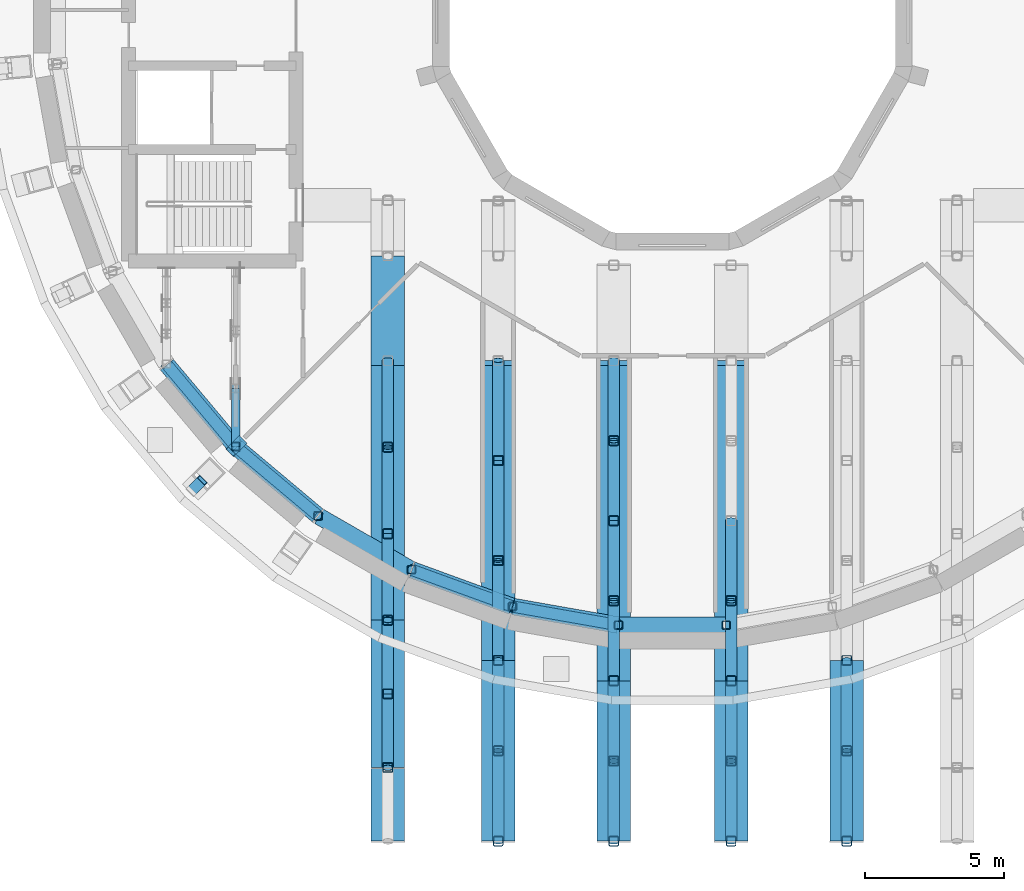
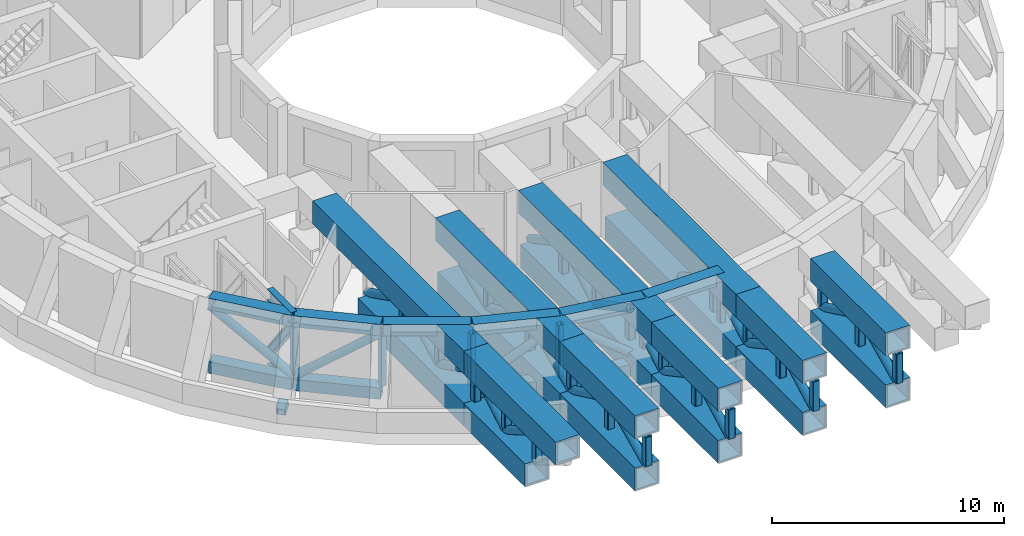
# One storey, part 2 of 20: 86 members, 2 beams.
"""IFC4 building model written with IfcOpenShell, lengths in metres."""

import ifcopenshell
import ifcopenshell.guid

model = None  # the IFC model being written
_history = None  # IfcOwnerHistory: only IFC2X3 demands one
_inside = {}  # id of a spatial element -> (the spatial element, [elements in it])
_under = {}  # id of a project, library or spatial element -> (it, [spatial elements below it])
_declared = {}  # id of a project -> (the project, [libraries it declares])
_typed = {}  # id of a type object -> (the type object, [elements of that type])
_made_of = {}  # id of a material, layer set ... -> (it, [elements and type objects made of it])


def new_model(schema):
    """Start an empty IFC model of exactly this schema.

    Asked for "IFC4X3", IfcOpenShell would pick the latest addendum, in which some entities
    have other attributes; the version numbers below select the first issue.
    IFC2X3 requires an IfcOwnerHistory on every rooted entity: one is made here for all.
    """
    global model, _history
    if schema == "IFC4X3":
        model = ifcopenshell.file(schema_version=(4, 3, 0, 0))
    else:
        model = ifcopenshell.file(schema=schema)
    _inside.clear()
    _under.clear()
    _declared.clear()
    _typed.clear()
    _made_of.clear()
    _history = None
    if model.schema == "IFC2X3":
        org = make("IfcOrganization", Name="unknown")
        user = make(
            "IfcPersonAndOrganization",
            ThePerson=make("IfcPerson", FamilyName="unknown"),
            TheOrganization=org,
        )
        app = make(
            "IfcApplication",
            ApplicationDeveloper=org,
            Version="unknown",
            ApplicationFullName="unknown",
            ApplicationIdentifier="unknown",
        )
        _history = make(
            "IfcOwnerHistory",
            OwningUser=user,
            OwningApplication=app,
            ChangeAction="ADDED",
            CreationDate=0,
        )
    return model


def make(cls, **values):
    """One entity of the class cls with the attributes given. An attribute that is None is left unset."""
    return model.create_entity(
        cls, **{name: value for name, value in values.items() if value is not None}
    )


def rooted(cls, **values):
    """An entity with a GlobalId (a new one), such as an element, a storey or a relation."""
    return make(cls, GlobalId=ifcopenshell.guid.new(), OwnerHistory=_history, **values)


def si_unit(unit_type, name, prefix=None):
    """IfcSIUnit, for example si_unit("LENGTHUNIT", "METRE", prefix="MILLI")."""
    return make("IfcSIUnit", UnitType=unit_type, Prefix=prefix, Name=name)


def assignment(units):
    """IfcUnitAssignment: the units of a project."""
    return None if units is None else make("IfcUnitAssignment", Units=units)


def point(xyz):
    """IfcCartesianPoint."""
    return None if xyz is None else make("IfcCartesianPoint", Coordinates=xyz)


def direction(xyz):
    """IfcDirection."""
    return None if xyz is None else make("IfcDirection", DirectionRatios=xyz)


def frame(location, z_axis=None, x_axis=None):
    """IfcAxis2Placement3D, a coordinate frame: its origin and axes. An axis left out is left unset."""
    return make(
        "IfcAxis2Placement3D",
        Location=point(location),
        Axis=direction(z_axis),
        RefDirection=direction(x_axis),
    )


def frame_2d(location, x_axis=None):
    """IfcAxis2Placement2D, a coordinate frame in the plane: its origin and x axis."""
    return make(
        "IfcAxis2Placement2D", Location=point(location), RefDirection=direction(x_axis)
    )


def origin():
    """The frame at (0, 0, 0) with its axes left unset."""
    return frame((0.0, 0.0, 0.0))


def origin_2d():
    """The frame at (0, 0) in the plane with its x axis left unset."""
    return frame_2d((0.0, 0.0))


def place(relative_to, where):
    """IfcLocalPlacement: puts the frame where relative to a parent placement (None: the world)."""
    return make(
        "IfcLocalPlacement", PlacementRelTo=relative_to, RelativePlacement=where
    )


def context(
    kind, dimensions, precision=None, world=None, true_north=None, identifier=None
):
    """IfcGeometricRepresentationContext, for example the 3D "Model" context."""
    return make(
        "IfcGeometricRepresentationContext",
        ContextIdentifier=identifier,
        ContextType=kind,
        CoordinateSpaceDimension=dimensions,
        Precision=precision,
        WorldCoordinateSystem=world,
        TrueNorth=true_north,
    )


def subcontext(parent, identifier, kind, view, scale=None):
    """IfcGeometricRepresentationSubContext, for example "Body" below "Model"."""
    return make(
        "IfcGeometricRepresentationSubContext",
        ContextIdentifier=identifier,
        ContextType=kind,
        ParentContext=parent,
        TargetScale=scale,
        TargetView=view,
    )


def project(units=None, contexts=None):
    """IfcProject with its units and contexts."""
    return rooted(
        "IfcProject",
        Name="project",
        RepresentationContexts=contexts,
        UnitsInContext=assignment(units),
    )


def spatial(cls, under=None, at=None, **own):
    """A site, building, storey or space (cls), placed at a placement, below another one or the project."""
    s = rooted(cls, ObjectPlacement=at, **own)
    if under is not None:
        _under.setdefault(under.id(), (under, []))[1].append(s)
    return s


def profile(cls, at=None, kind="AREA", **sizes):
    """A parametric profile (cls). Its sizes go by their IFC names, for example OverallWidth=200.0."""
    return make(cls, ProfileType=kind, Position=at, **sizes)


def hollow_rectangle(**sizes):
    """IfcRectangleHollowProfileDef."""
    return profile("IfcRectangleHollowProfileDef", **sizes)


def hollow_circle(**sizes):
    """IfcCircleHollowProfileDef."""
    return profile("IfcCircleHollowProfileDef", **sizes)


def i_section(**sizes):
    """IfcIShapeProfileDef."""
    return profile("IfcIShapeProfileDef", **sizes)


def extrude(swept, where, along, depth):
    """IfcExtrudedAreaSolid: the profile swept, set in the frame where, extruded along a direction by depth."""
    return make(
        "IfcExtrudedAreaSolid",
        SweptArea=swept,
        Position=where,
        ExtrudedDirection=direction(along),
        Depth=depth,
    )


def shape(context_of_items, identifier, shape_type, items):
    """IfcShapeRepresentation: the items that make up one representation, for example the "Body"."""
    return make(
        "IfcShapeRepresentation",
        ContextOfItems=context_of_items,
        RepresentationIdentifier=identifier,
        RepresentationType=shape_type,
        Items=items,
    )


def material(Name=None, Category=None):
    """IfcMaterial."""
    return make("IfcMaterial", Name=Name, Category=Category)


def material_profile(
    of_material, cross_section, Name=None, Category=None, Priority=None
):
    """IfcMaterialProfile: a cross section and its material."""
    return make(
        "IfcMaterialProfile",
        Name=Name,
        Material=of_material,
        Profile=cross_section,
        Priority=Priority,
        Category=Category,
    )


def profile_set(profiles, Name=None, composite=None):
    """IfcMaterialProfileSet."""
    return make(
        "IfcMaterialProfileSet",
        Name=Name,
        MaterialProfiles=profiles,
        CompositeProfile=composite,
    )


def made_of(thing, what):
    """Note that an element or type object is made of a material, layer set ...; save() writes the relation."""
    if what is not None:
        _made_of.setdefault(what.id(), (what, []))[1].append(thing)
    return thing


def type_object(cls, material=None, **own):
    """A type object (cls), such as IfcWallType, which elements share."""
    return made_of(rooted(cls, **own), material)


def element(
    cls,
    number,
    at=None,
    inside=None,
    cuts=None,
    type_object=None,
    material=None,
    context=None,
    identifier="Body",
    shape_type=None,
    held_by="IfcProductDefinitionShape",
    body=None,
    shapes=None,
    **own,
):
    """One element of the class cls, such as IfcWall. Its Tag is "e" and its number.

    at: its placement. inside: the storey or other place that contains it. cuts: it is an
    opening in that element (IfcRelVoidsElement). A single representation is given by context,
    identifier, shape_type and body (its items); several are given by shapes. held_by: the class
    of the entity that holds the representations. save() writes the other relations.
    """
    e = rooted(cls, Tag="e%d" % number, ObjectPlacement=at, **own)
    if body is not None:
        shapes = [shape(context, identifier, shape_type, body)]
    if shapes is not None:
        e.Representation = make(held_by, Representations=shapes)
    if inside is not None:
        _inside.setdefault(inside.id(), (inside, []))[1].append(e)
    if cuts is not None:
        rooted(
            "IfcRelVoidsElement", RelatingBuildingElement=cuts, RelatedOpeningElement=e
        )
    if type_object is not None:
        _typed.setdefault(type_object.id(), (type_object, []))[1].append(e)
    return made_of(e, material)


def aggregate(whole, parts):
    """IfcRelAggregates: a whole, such as a stair, and the parts it consists of."""
    return rooted("IfcRelAggregates", RelatingObject=whole, RelatedObjects=parts)


def save(model, path):
    """Write the relations noted so far, then the file.

    IfcRelAggregates (storeys below a building ...), IfcRelContainedInSpatialStructure (elements
    in a storey), IfcRelDefinesByType, IfcRelAssociatesMaterial and IfcRelDeclares: one each for
    every whole, place, type object, material and project.
    """
    for whole, parts in _under.values():
        aggregate(whole, parts)
    for where, things in _inside.values():
        rooted(
            "IfcRelContainedInSpatialStructure",
            RelatedElements=things,
            RelatingStructure=where,
        )
    for kind, things in _typed.values():
        rooted("IfcRelDefinesByType", RelatedObjects=things, RelatingType=kind)
    for what, things in _made_of.values():
        rooted("IfcRelAssociatesMaterial", RelatedObjects=things, RelatingMaterial=what)
    for by, libraries in _declared.values():
        rooted("IfcRelDeclares", RelatingContext=by, RelatedDefinitions=libraries)
    model.write(path)


model = new_model("IFC4")

# Units and contexts
model_context = context("Model", 3, precision=1e-05, world=origin(), true_north=direction((0.0, 1.0)))
body_context = subcontext(model_context, "Body", "Model", "MODEL_VIEW")
ifc_project = project(units=[si_unit("LENGTHUNIT", "METRE"), si_unit("AREAUNIT", "SQUARE_METRE"), si_unit("VOLUMEUNIT", "CUBIC_METRE"), si_unit("PLANEANGLEUNIT", "RADIAN"), si_unit("MASSUNIT", "GRAM", prefix="KILO")], contexts=[model_context])

# Site, building, storey
site_placement = place(None, origin())
site = spatial("IfcSite", under=ifc_project, at=site_placement, CompositionType="ELEMENT")
building_placement = place(site_placement, origin())
building = spatial("IfcBuilding", under=site, at=building_placement, Name="Saqina Gate Tower", CompositionType="ELEMENT")
storey_placement = place(building_placement, frame((0.0, 0.0, 220.199951171875)))
storey = spatial("IfcBuildingStorey", under=building, at=storey_placement, Name="L63", CompositionType="ELEMENT", Elevation=220.199951171875)

# Members
ifc_material_1 = material(Name="Steel S460", Category="steel")
ifc_material_profile_1 = material_profile(ifc_material_1, hollow_rectangle(XDim=0.60009765625, YDim=0.60009765625, WallThickness=0.0400390625, at=origin_2d()), Name="BOX 600x600x40")
ifc_profile_set_1 = profile_set([ifc_material_profile_1], Name="Steel S460")
member_type_1 = type_object("IfcMemberType", Name="STR-BELT TRUSS L63 CHORD-BOX 600x600x40", PredefinedType="CHORD", material=ifc_profile_set_1)
for number, where, z_axis, x_axis, name in (
    (1, (-18.12744140625, -12.724853515625, 0.300048828125), (0.642816175622, -0.766020472545, 0.0), (0.766020472545, 0.642816175622, 0.0), "BELT TRUSS L63 CHORD 050"),
    (2, (-18.12744140625, -12.724853515625, 3.650146484375), (0.642816175622, -0.766020472545, 0.0), (0.766020472545, 0.642816175622, 0.0), "BELT TRUSS L63 CHORD 051"),
    (3, (-15.642333984375, -15.67919921875, 0.300048828125), (0.766020472545, -0.642816175622, 0.0), (0.642816175622, 0.766020472545, 0.0), "BELT TRUSS L63 CHORD 053"),
    (4, (-15.642333984375, -15.67919921875, 3.650146484375), (0.766020472545, -0.642816175622, 0.0), (0.642816175622, 0.766020472545, 0.0), "BELT TRUSS L63 CHORD 054"),
):
    element("IfcMember", number, at=place(storey_placement, frame(where, z_axis=z_axis, x_axis=x_axis)), inside=storey, type_object=member_type_1, Name=name, PredefinedType="CHORD", context=body_context, shape_type="SweptSolid", body=[
        extrude(hollow_rectangle(XDim=0.60009765625, YDim=0.60009765625, WallThickness=0.0400390625, at=origin_2d()), origin(), (0.0, 0.0, 1.0), 3.80859375),
    ])
member_1_placement = place(storey_placement, frame((-12.681884765625, -18.1572265625, 3.650146484375), z_axis=(0.866009436129, -0.500027655771, 0.0), x_axis=(0.500027655771, 0.866009436129, 0.0)))
element("IfcMember", 5, at=member_1_placement, inside=storey, type_object=member_type_1, Name="BELT TRUSS L63 CHORD 056", PredefinedType="CHORD", context=body_context, shape_type="SweptSolid", body=[
    extrude(hollow_rectangle(XDim=0.60009765625, YDim=0.60009765625, WallThickness=0.0400390625, at=origin_2d()), origin(), (0.0, 0.0, 1.0), 3.808349609375),
])
for number, where, z_axis, x_axis, name in (
    (6, (-9.33642578125, -20.083740234375, 0.300048828125), (0.939701678704, -0.341995255876, 0.0), (0.341995255876, 0.939701678704, 0.0), "BELT TRUSS L63 CHORD 057"),
    (7, (-9.33642578125, -20.083740234375, 3.650146484375), (0.939701678704, -0.341995255876, 0.0), (0.341995255876, 0.939701678704, 0.0), "BELT TRUSS L63 CHORD 058"),
    (8, (-5.70703125, -21.39990234375, 0.300048828125), (0.984817742469, -0.173591515108, 0.0), (0.173591515108, 0.984817742469, 0.0), "BELT TRUSS L63 CHORD 060"),
    (9, (-5.70703125, -21.39990234375, 3.650146484375), (0.984817742469, -0.173591515108, 0.0), (0.173591515108, 0.984817742469, 0.0), "BELT TRUSS L63 CHORD 061"),
    (10, (-1.904296875, -22.065673828125, 3.650146484375), (1.0, 0.0, 0.0), (0.0, 1.0, 0.0), "BELT TRUSS L63 CHORD 063"),
):
    element("IfcMember", number, at=place(storey_placement, frame(where, z_axis=z_axis, x_axis=x_axis)), inside=storey, type_object=member_type_1, Name=name, PredefinedType="CHORD", context=body_context, shape_type="SweptSolid", body=[
        extrude(hollow_rectangle(XDim=0.60009765625, YDim=0.60009765625, WallThickness=0.0400390625, at=origin_2d()), origin(), (0.0, 0.0, 1.0), 3.80859375),
    ])
ifc_material_2 = material(Name="Steel S460", Category="steel")
ifc_material_profile_2 = material_profile(ifc_material_2, hollow_circle(Radius=0.203125, WallThickness=0.01611328125, at=origin_2d()), Name="CHS 406.4x16")
ifc_profile_set_2 = profile_set([ifc_material_profile_2], Name="Steel S460")
member_type_2 = type_object("IfcMemberType", Name="STR-BELT TRUSS L63 DIAGONAL-CHS 406.4x16", PredefinedType="BRACE", material=ifc_profile_set_2)
for number, where, z_axis, x_axis, name in (
    (11, (-18.150390625, -12.697265625, 3.35693359375), (0.523528120524, -0.623970085699, -0.580154840687), (0.766071615577, 0.642755225422, 0.0), "BELT TRUSS L63 DIAGONAL 052"),
    (12, (-15.669921875, -15.65625, 0.593017578125), (0.623970085699, -0.523528120524, 0.580154840687), (0.642755225422, 0.766071615577, 0.0), "BELT TRUSS L63 DIAGONAL 055"),
    (13, (-9.3701171875, -20.0712890625, 0.593017578125), (0.765385221428, -0.27861538892, 0.580136990612), (0.342061285319, 0.939677645305, 0.0), "BELT TRUSS L63 DIAGONAL 059"),
    (14, (-5.742431640625, -21.3935546875, 3.35693359375), (0.802139045921, -0.141436387066, -0.580145412309), (0.17364535687, 0.984808250391, 0.0), "BELT TRUSS L63 DIAGONAL 062"),
):
    element("IfcMember", number, at=place(storey_placement, frame(where, z_axis=z_axis, x_axis=x_axis)), inside=storey, type_object=member_type_2, Name=name, PredefinedType="BRACE", context=body_context, shape_type="SweptSolid", body=[
        extrude(hollow_circle(Radius=0.203125, WallThickness=0.01611328125, at=origin_2d()), origin(), (0.0, 0.0, 1.0), 4.76416015625),
    ])
ifc_material_3 = material(Name="Steel S460", Category="steel")
ifc_material_profile_3 = material_profile(ifc_material_3, hollow_rectangle(XDim=0.300048828125, YDim=0.300048828125, WallThickness=0.01611328125, InnerFilletRadius=0.031982421875, OuterFilletRadius=0.048095703125, at=origin_2d()), Name="SHS 300x300x16")
ifc_profile_set_3 = profile_set([ifc_material_profile_3], Name="Steel S460")
member_type_3 = type_object("IfcMemberType", Name="STR-BELT TRUSS L63 POST-SHS 300x300x16", PredefinedType="POST", material=ifc_profile_set_3)
for number, where, z_axis, x_axis, name in (
    (15, (-15.662353515625, -15.662353515625, 0.60009765625), (0.0, 0.0, 1.0), (1.0, 0.0, 0.0), "BELT TRUSS L63 POST 106"),
    (16, (-12.704833984375, -18.144287109375, 0.60009765625), (0.0, 0.0, 1.0), (1.0, 0.0, 0.0), "BELT TRUSS L63 POST 107"),
    (17, (-9.361083984375, -20.07470703125, 0.60009765625), (0.0, 0.0, 1.0), (1.0, 0.0, 0.0), "BELT TRUSS L63 POST 108"),
    (18, (-5.73291015625, -21.395263671875, 0.60009765625), (0.0, 0.0, 1.0), (1.0, 0.0, 0.0), "BELT TRUSS L63 POST 109"),
    (19, (-1.930419921875, -22.065673828125, 0.60009765625), (0.0, 0.0, 1.0), (1.0, 0.0, 0.0), "BELT TRUSS L63 POST 110"),
    (20, (1.930419921875, -22.065673828125, 0.60009765625), (0.0, 0.0, 1.0), (1.0, 0.0, 0.0), "BELT TRUSS L63 POST 111"),
):
    element("IfcMember", number, at=place(storey_placement, frame(where, z_axis=z_axis, x_axis=x_axis)), inside=storey, type_object=member_type_3, Name=name, PredefinedType="POST", context=body_context, shape_type="SweptSolid", body=[
        extrude(hollow_rectangle(XDim=0.300048828125, YDim=0.300048828125, WallThickness=0.01611328125, InnerFilletRadius=0.031982421875, OuterFilletRadius=0.048095703125, at=origin_2d()), origin(), (0.0, 0.0, 1.0), 2.75),
    ])

# Beams
ifc_material_4 = material(Name="Steel S460", Category="steel")
ifc_material_profile_4 = material_profile(ifc_material_4, hollow_rectangle(XDim=0.39990234375, YDim=0.39990234375, WallThickness=0.030029296875, at=origin_2d()), Name="BOX 400x400x30")
ifc_profile_set_4 = profile_set([ifc_material_profile_4], Name="Steel S460")
beam_type = type_object("IfcBeamType", Name="STR-NODE TIE BEAM L63-BOX 400x400x30", PredefinedType="BEAM", material=ifc_profile_set_4)
for number, where, z_axis, x_axis, name in (
    (21, (-17.25341796875, -17.25341796875, 0.1884765625), (0.666060531238, 0.666060531238, 0.335748026732), (-0.707106781187, 0.707106781187, 0.0), "NODE TIE BEAM L63 23 FOOT"),
    (22, (-15.4501953125, -15.4501953125, 3.565673828125), (-0.666060531238, -0.666060531238, 0.335748026732), (0.707106781187, -0.707106781187, 0.0), "NODE TIE BEAM L63 23 HEAD"),
):
    element("IfcBeam", number, at=place(storey_placement, frame(where, z_axis=z_axis, x_axis=x_axis)), inside=storey, type_object=beam_type, Name=name, PredefinedType="BEAM", context=body_context, shape_type="SweptSolid", body=[
        extrude(hollow_rectangle(XDim=0.39990234375, YDim=0.39990234375, WallThickness=0.030029296875, at=origin_2d()), origin(), (0.0, 0.0, 1.0), 0.583984375),
    ])

# Members
ifc_material_5 = material(Name="Steel S460", Category="steel")
ifc_material_profile_5 = material_profile(ifc_material_5, i_section(OverallWidth=0.300048828125, OverallDepth=0.60009765625, WebThickness=0.015380859375, FlangeThickness=0.030029296875, FilletRadius=0.027099609375, at=origin_2d()), Name="HE 600 B")
ifc_profile_set_5 = profile_set([ifc_material_profile_5], Name="Steel S460")
member_type_4 = type_object("IfcMemberType", Name="STR-OUTRIGGER TRUSS L63 LONG CHORD-HE 600 B", PredefinedType="CHORD", material=ifc_profile_set_5)
for number, where, z_axis, x_axis, name in (
    (23, (-15.662353515625, -13.5810546875, 0.300048828125), (0.0, -1.0, 0.0), (1.0, 0.0, 0.0), "OUTRIGGER TRUSS L63 LONG CHORD 194"),
    (24, (-15.662353515625, -13.5810546875, 3.650146484375), (0.0, -1.0, 0.0), (1.0, 0.0, 0.0), "OUTRIGGER TRUSS L63 LONG CHORD 195"),
):
    element("IfcMember", number, at=place(storey_placement, frame(where, z_axis=z_axis, x_axis=x_axis)), inside=storey, type_object=member_type_4, Name=name, PredefinedType="CHORD", context=body_context, shape_type="SweptSolid", body=[
        extrude(i_section(OverallWidth=0.300048828125, OverallDepth=0.60009765625, WebThickness=0.015380859375, FlangeThickness=0.030029296875, FilletRadius=0.027099609375, at=origin_2d()), origin(), (0.0, 0.0, 1.0), 2.081298828125),
    ])
ifc_material_6 = material(Name="Steel S460", Category="steel")
ifc_material_profile_6 = material_profile(ifc_material_6, i_section(OverallWidth=0.300048828125, OverallDepth=0.39990234375, WebThickness=0.013427734375, FlangeThickness=0.02392578125, FilletRadius=0.027099609375, at=origin_2d()), Name="HE 400 B")
ifc_profile_set_6 = profile_set([ifc_material_profile_6], Name="Steel S460")
member_type_5 = type_object("IfcMemberType", Name="STR-OUTRIGGER TRUSS L63 LONG DIAGONAL-HE 400 B", PredefinedType="BRACE", material=ifc_profile_set_6)
member_2_placement = place(storey_placement, frame((-15.662353515625, -13.57373046875, 0.590576171875), z_axis=(0.0, -0.603526027806, 0.797343297307), x_axis=(1.0, 0.0, 0.0)))
element("IfcMember", 25, at=member_2_placement, inside=storey, type_object=member_type_5, Name="OUTRIGGER TRUSS L63 LONG DIAGONAL 196", PredefinedType="BRACE", context=body_context, shape_type="SweptSolid", body=[
    extrude(i_section(OverallWidth=0.300048828125, OverallDepth=0.39990234375, WebThickness=0.013427734375, FlangeThickness=0.02392578125, FilletRadius=0.027099609375, at=origin_2d()), origin(), (0.0, 0.0, 1.0), 3.472900390625),
])
ifc_material_7 = material(Name="Steel S460", Category="steel")
ifc_material_profile_7 = material_profile(ifc_material_7, hollow_rectangle(XDim=1.199951171875, YDim=1.199951171875, WallThickness=0.080078125, at=origin_2d()), Name="BOX 1200x1200x80")
ifc_profile_set_7 = profile_set([ifc_material_profile_7], Name="Steel S460")
member_type_6 = type_object("IfcMemberType", Name="STR-POOL CANTILEVER TRUSS CHORD-BOX 1200x1200x80", PredefinedType="CHORD", material=ifc_profile_set_7)
for number, where, z_axis, x_axis, name in (
    (26, (-6.25048828125, -29.8125, 0.60009765625), (0.0, 1.0, 0.0), (-1.0, 0.0, 0.0), "POOL CANTILEVER TRUSS CHORD 222"),
    (27, (-6.25048828125, -29.8125, 3.35009765625), (0.0, 1.0, 0.0), (-1.0, 0.0, 0.0), "POOL CANTILEVER TRUSS CHORD 223"),
):
    element("IfcMember", number, at=place(storey_placement, frame(where, z_axis=z_axis, x_axis=x_axis)), inside=storey, type_object=member_type_6, Name=name, PredefinedType="CHORD", context=body_context, shape_type="SweptSolid", body=[
        extrude(hollow_rectangle(XDim=1.199951171875, YDim=1.199951171875, WallThickness=0.080078125, at=origin_2d()), origin(), (0.0, 0.0, 1.0), 6.4853515625),
    ])
member_3_placement = place(storey_placement, frame((-6.25048828125, -23.3271484375, 0.60009765625), z_axis=(0.0, 1.0, 0.0), x_axis=(-1.0, 0.0, 0.0)))
element("IfcMember", 28, at=member_3_placement, inside=storey, type_object=member_type_6, Name="POOL CANTILEVER TRUSS CHORD 224", PredefinedType="CHORD", context=body_context, shape_type="SweptSolid", body=[
    extrude(hollow_rectangle(XDim=1.199951171875, YDim=1.199951171875, WallThickness=0.080078125, at=origin_2d()), origin(), (0.0, 0.0, 1.0), 10.5771484375),
])
member_4_placement = place(storey_placement, frame((-6.25048828125, -23.3271484375, 3.35009765625), z_axis=(0.0, 1.0, 0.0), x_axis=(-1.0, 0.0, 0.0)))
element("IfcMember", 29, at=member_4_placement, inside=storey, type_object=member_type_6, Name="POOL CANTILEVER TRUSS CHORD 225", PredefinedType="CHORD", context=body_context, shape_type="SweptSolid", body=[
    extrude(hollow_rectangle(XDim=1.199951171875, YDim=1.199951171875, WallThickness=0.080078125, at=origin_2d()), origin(), (0.0, 0.0, 1.0), 10.752197265625),
])
for number, where, z_axis, x_axis, name in (
    (30, (-2.104736328125, -29.8125, 0.60009765625), (0.0, 1.0, 0.0), (-1.0, 0.0, 0.0), "POOL CANTILEVER TRUSS CHORD 242"),
    (31, (-2.104736328125, -29.8125, 3.35009765625), (0.0, 1.0, 0.0), (-1.0, 0.0, 0.0), "POOL CANTILEVER TRUSS CHORD 243"),
):
    element("IfcMember", number, at=place(storey_placement, frame(where, z_axis=z_axis, x_axis=x_axis)), inside=storey, type_object=member_type_6, Name=name, PredefinedType="CHORD", context=body_context, shape_type="SweptSolid", body=[
        extrude(hollow_rectangle(XDim=1.199951171875, YDim=1.199951171875, WallThickness=0.080078125, at=origin_2d()), origin(), (0.0, 0.0, 1.0), 5.75439453125),
    ])
member_5_placement = place(storey_placement, frame((-2.104736328125, -24.05810546875, 0.60009765625), z_axis=(0.0, 1.0, 0.0), x_axis=(-1.0, 0.0, 0.0)))
element("IfcMember", 32, at=member_5_placement, inside=storey, type_object=member_type_6, Name="POOL CANTILEVER TRUSS CHORD 244", PredefinedType="CHORD", context=body_context, shape_type="SweptSolid", body=[
    extrude(hollow_rectangle(XDim=1.199951171875, YDim=1.199951171875, WallThickness=0.080078125, at=origin_2d()), origin(), (0.0, 0.0, 1.0), 11.30810546875),
])
member_6_placement = place(storey_placement, frame((-2.104736328125, -24.05810546875, 3.35009765625), z_axis=(0.0, 1.0, 0.0), x_axis=(-1.0, 0.0, 0.0)))
element("IfcMember", 33, at=member_6_placement, inside=storey, type_object=member_type_6, Name="POOL CANTILEVER TRUSS CHORD 245", PredefinedType="CHORD", context=body_context, shape_type="SweptSolid", body=[
    extrude(hollow_rectangle(XDim=1.199951171875, YDim=1.199951171875, WallThickness=0.080078125, at=origin_2d()), origin(), (0.0, 0.0, 1.0), 11.483154296875),
])
for number, where, z_axis, x_axis, name in (
    (34, (2.104736328125, -29.8125, 0.60009765625), (0.0, 1.0, 0.0), (-1.0, 0.0, 0.0), "POOL CANTILEVER TRUSS CHORD 261"),
    (35, (2.104736328125, -29.8125, 3.35009765625), (0.0, 1.0, 0.0), (-1.0, 0.0, 0.0), "POOL CANTILEVER TRUSS CHORD 262"),
):
    element("IfcMember", number, at=place(storey_placement, frame(where, z_axis=z_axis, x_axis=x_axis)), inside=storey, type_object=member_type_6, Name=name, PredefinedType="CHORD", context=body_context, shape_type="SweptSolid", body=[
        extrude(hollow_rectangle(XDim=1.199951171875, YDim=1.199951171875, WallThickness=0.080078125, at=origin_2d()), origin(), (0.0, 0.0, 1.0), 5.75439453125),
    ])
member_7_placement = place(storey_placement, frame((2.104736328125, -24.05810546875, 0.60009765625), z_axis=(0.0, 1.0, 0.0), x_axis=(-1.0, 0.0, 0.0)))
element("IfcMember", 36, at=member_7_placement, inside=storey, type_object=member_type_6, Name="POOL CANTILEVER TRUSS CHORD 263", PredefinedType="CHORD", context=body_context, shape_type="SweptSolid", body=[
    extrude(hollow_rectangle(XDim=1.199951171875, YDim=1.199951171875, WallThickness=0.080078125, at=origin_2d()), origin(), (0.0, 0.0, 1.0), 11.30810546875),
])
member_8_placement = place(storey_placement, frame((2.104736328125, -24.05810546875, 3.35009765625), z_axis=(0.0, 1.0, 0.0), x_axis=(-1.0, 0.0, 0.0)))
element("IfcMember", 37, at=member_8_placement, inside=storey, type_object=member_type_6, Name="POOL CANTILEVER TRUSS CHORD 264", PredefinedType="CHORD", context=body_context, shape_type="SweptSolid", body=[
    extrude(hollow_rectangle(XDim=1.199951171875, YDim=1.199951171875, WallThickness=0.080078125, at=origin_2d()), origin(), (0.0, 0.0, 1.0), 11.483154296875),
])
for number, where, z_axis, x_axis, name in (
    (38, (6.25048828125, -29.8125, 0.60009765625), (0.0, 1.0, 0.0), (-1.0, 0.0, 0.0), "POOL CANTILEVER TRUSS CHORD 280"),
    (39, (6.25048828125, -29.8125, 3.35009765625), (0.0, 1.0, 0.0), (-1.0, 0.0, 0.0), "POOL CANTILEVER TRUSS CHORD 281"),
):
    element("IfcMember", number, at=place(storey_placement, frame(where, z_axis=z_axis, x_axis=x_axis)), inside=storey, type_object=member_type_6, Name=name, PredefinedType="CHORD", context=body_context, shape_type="SweptSolid", body=[
        extrude(hollow_rectangle(XDim=1.199951171875, YDim=1.199951171875, WallThickness=0.080078125, at=origin_2d()), origin(), (0.0, 0.0, 1.0), 6.4853515625),
    ])
ifc_material_8 = material(Name="Steel S460", Category="steel")
ifc_material_profile_8 = material_profile(ifc_material_8, hollow_circle(Radius=0.203125, WallThickness=0.01611328125, at=origin_2d()), Name="CHS 406.4x16")
ifc_profile_set_8 = profile_set([ifc_material_profile_8], Name="Steel S460")
member_type_7 = type_object("IfcMemberType", Name="STR-POOL CANTILEVER TRUSS DIAGONAL-CHS 406.4x16", PredefinedType="BRACE", material=ifc_profile_set_8)
member_9_placement = place(storey_placement, frame((-6.25048828125, -29.8232421875, 1.19482421875), z_axis=(0.0, 0.902222135947, 0.431271628335), x_axis=(-1.0, 0.0, 0.0)))
element("IfcMember", 40, at=member_9_placement, inside=storey, type_object=member_type_7, Name="POOL CANTILEVER TRUSS DIAGONAL 228", PredefinedType="BRACE", context=body_context, shape_type="SweptSolid", body=[
    extrude(hollow_circle(Radius=0.203125, WallThickness=0.01611328125, at=origin_2d()), origin(), (0.0, 0.0, 1.0), 3.617919921875),
])
member_10_placement = place(storey_placement, frame((-6.25048828125, -26.58056640625, 2.755126953125), z_axis=(0.0, 0.902234685961, -0.43124537267), x_axis=(-1.0, 0.0, 0.0)))
element("IfcMember", 41, at=member_10_placement, inside=storey, type_object=member_type_7, Name="POOL CANTILEVER TRUSS DIAGONAL 229", PredefinedType="BRACE", context=body_context, shape_type="SweptSolid", body=[
    extrude(hollow_circle(Radius=0.203125, WallThickness=0.01611328125, at=origin_2d()), origin(), (0.0, 0.0, 1.0), 3.6181640625),
])
member_11_placement = place(storey_placement, frame((-6.25048828125, -23.338134765625, 1.1953125), z_axis=(0.0, 0.917835007654, 0.396962087264), x_axis=(-1.0, 0.0, 0.0)))
element("IfcMember", 42, at=member_11_placement, inside=storey, type_object=member_type_7, Name="POOL CANTILEVER TRUSS DIAGONAL 230", PredefinedType="BRACE", context=body_context, shape_type="SweptSolid", body=[
    extrude(hollow_circle(Radius=0.203125, WallThickness=0.01611328125, at=origin_2d()), origin(), (0.0, 0.0, 1.0), 3.9287109375),
])
for number, where, z_axis, x_axis, name in (
    (43, (-6.25048828125, -19.754150390625, 2.7548828125), (0.0, 0.917844799059, -0.396939447322), (-1.0, 0.0, 0.0), "POOL CANTILEVER TRUSS DIAGONAL 231"),
    (44, (-6.25048828125, -16.170166015625, 1.1953125), (0.0, 0.917844799059, 0.396939447322), (-1.0, 0.0, 0.0), "POOL CANTILEVER TRUSS DIAGONAL 232"),
):
    element("IfcMember", number, at=place(storey_placement, frame(where, z_axis=z_axis, x_axis=x_axis)), inside=storey, type_object=member_type_7, Name=name, PredefinedType="BRACE", context=body_context, shape_type="SweptSolid", body=[
        extrude(hollow_circle(Radius=0.203125, WallThickness=0.01611328125, at=origin_2d()), origin(), (0.0, 0.0, 1.0), 3.928955078125),
    ])
for number, where, z_axis, x_axis, name in (
    (45, (-2.104736328125, -29.822998046875, 1.1943359375), (0.0, 0.880349626046, 0.474325348175), (-1.0, 0.0, 0.0), "POOL CANTILEVER TRUSS DIAGONAL 247"),
    (46, (-2.104736328125, -26.94580078125, 2.755859375), (0.0, 0.880349626046, -0.474325348175), (-1.0, 0.0, 0.0), "POOL CANTILEVER TRUSS DIAGONAL 248"),
):
    element("IfcMember", number, at=place(storey_placement, frame(where, z_axis=z_axis, x_axis=x_axis)), inside=storey, type_object=member_type_7, Name=name, PredefinedType="BRACE", context=body_context, shape_type="SweptSolid", body=[
        extrude(hollow_circle(Radius=0.203125, WallThickness=0.01611328125, at=origin_2d()), origin(), (0.0, 0.0, 1.0), 3.2919921875),
    ])
for number, where, z_axis, x_axis, name in (
    (47, (-2.104736328125, -24.068603515625, 1.1943359375), (0.0, 0.87991471484, 0.475131660288), (-1.0, 0.0, 0.0), "POOL CANTILEVER TRUSS DIAGONAL 249"),
    (48, (-2.104736328125, -21.197998046875, 2.755859375), (0.0, 0.879931483211, -0.475100604982), (-1.0, 0.0, 0.0), "POOL CANTILEVER TRUSS DIAGONAL 250"),
    (49, (-2.104736328125, -18.3271484375, 1.1943359375), (0.0, 0.87991471484, 0.475131660288), (-1.0, 0.0, 0.0), "POOL CANTILEVER TRUSS DIAGONAL 251"),
    (50, (-2.104736328125, -15.456298828125, 2.755859375), (0.0, 0.87991471484, -0.475131660288), (-1.0, 0.0, 0.0), "POOL CANTILEVER TRUSS DIAGONAL 252"),
):
    element("IfcMember", number, at=place(storey_placement, frame(where, z_axis=z_axis, x_axis=x_axis)), inside=storey, type_object=member_type_7, Name=name, PredefinedType="BRACE", context=body_context, shape_type="SweptSolid", body=[
        extrude(hollow_circle(Radius=0.203125, WallThickness=0.01611328125, at=origin_2d()), origin(), (0.0, 0.0, 1.0), 3.28662109375),
    ])
for number, where, z_axis, x_axis, name in (
    (51, (2.104736328125, -29.822998046875, 1.1943359375), (0.0, 0.880349626046, 0.474325348175), (-1.0, 0.0, 0.0), "POOL CANTILEVER TRUSS DIAGONAL 266"),
    (52, (2.104736328125, -26.94580078125, 2.755859375), (0.0, 0.880349626046, -0.474325348175), (-1.0, 0.0, 0.0), "POOL CANTILEVER TRUSS DIAGONAL 267"),
):
    element("IfcMember", number, at=place(storey_placement, frame(where, z_axis=z_axis, x_axis=x_axis)), inside=storey, type_object=member_type_7, Name=name, PredefinedType="BRACE", context=body_context, shape_type="SweptSolid", body=[
        extrude(hollow_circle(Radius=0.203125, WallThickness=0.01611328125, at=origin_2d()), origin(), (0.0, 0.0, 1.0), 3.2919921875),
    ])
for number, where, z_axis, x_axis, name in (
    (53, (2.104736328125, -24.068603515625, 1.1943359375), (0.0, 0.87991471484, 0.475131660288), (-1.0, 0.0, 0.0), "POOL CANTILEVER TRUSS DIAGONAL 268"),
    (54, (2.104736328125, -21.197998046875, 2.755859375), (0.0, 0.879931483211, -0.475100604982), (-1.0, 0.0, 0.0), "POOL CANTILEVER TRUSS DIAGONAL 269"),
):
    element("IfcMember", number, at=place(storey_placement, frame(where, z_axis=z_axis, x_axis=x_axis)), inside=storey, type_object=member_type_7, Name=name, PredefinedType="BRACE", context=body_context, shape_type="SweptSolid", body=[
        extrude(hollow_circle(Radius=0.203125, WallThickness=0.01611328125, at=origin_2d()), origin(), (0.0, 0.0, 1.0), 3.28662109375),
    ])
member_12_placement = place(storey_placement, frame((6.25048828125, -29.8232421875, 1.19482421875), z_axis=(0.0, 0.902222135947, 0.431271628335), x_axis=(-1.0, 0.0, 0.0)))
element("IfcMember", 55, at=member_12_placement, inside=storey, type_object=member_type_7, Name="POOL CANTILEVER TRUSS DIAGONAL 286", PredefinedType="BRACE", context=body_context, shape_type="SweptSolid", body=[
    extrude(hollow_circle(Radius=0.203125, WallThickness=0.01611328125, at=origin_2d()), origin(), (0.0, 0.0, 1.0), 3.617919921875),
])
member_13_placement = place(storey_placement, frame((6.25048828125, -26.58056640625, 2.755126953125), z_axis=(0.0, 0.902234685961, -0.43124537267), x_axis=(-1.0, 0.0, 0.0)))
element("IfcMember", 56, at=member_13_placement, inside=storey, type_object=member_type_7, Name="POOL CANTILEVER TRUSS DIAGONAL 287", PredefinedType="BRACE", context=body_context, shape_type="SweptSolid", body=[
    extrude(hollow_circle(Radius=0.203125, WallThickness=0.01611328125, at=origin_2d()), origin(), (0.0, 0.0, 1.0), 3.6181640625),
])
ifc_material_9 = material(Name="Steel S460", Category="steel")
ifc_material_profile_9 = material_profile(ifc_material_9, hollow_rectangle(XDim=1.199951171875, YDim=1.199951171875, WallThickness=0.10009765625, at=origin_2d()), Name="BOX 1200x1200x100")
ifc_profile_set_9 = profile_set([ifc_material_profile_9], Name="Steel S460")
member_type_8 = type_object("IfcMemberType", Name="STR-POOL CANTILEVER TRUSS END CHORD-BOX 1200x1200x100", PredefinedType="CHORD", material=ifc_profile_set_9)
member_14_placement = place(storey_placement, frame((-10.206298828125, -27.170654296875, 0.60009765625), z_axis=(0.0, 1.0, 0.0), x_axis=(-1.0, 0.0, 0.0)))
element("IfcMember", 57, at=member_14_placement, inside=storey, type_object=member_type_8, Name="POOL CANTILEVER TRUSS END CHORD 200", PredefinedType="CHORD", context=body_context, shape_type="SweptSolid", body=[
    extrude(hollow_rectangle(XDim=1.199951171875, YDim=1.199951171875, WallThickness=0.10009765625, at=origin_2d()), origin(), (0.0, 0.0, 1.0), 5.283203125),
])
member_15_placement = place(storey_placement, frame((-10.206298828125, -29.8125, 3.35009765625), z_axis=(0.0, 1.0, 0.0), x_axis=(-1.0, 0.0, 0.0)))
element("IfcMember", 58, at=member_15_placement, inside=storey, type_object=member_type_8, Name="POOL CANTILEVER TRUSS END CHORD 201", PredefinedType="CHORD", context=body_context, shape_type="SweptSolid", body=[
    extrude(hollow_rectangle(XDim=1.199951171875, YDim=1.199951171875, WallThickness=0.10009765625, at=origin_2d()), origin(), (0.0, 0.0, 1.0), 7.925048828125),
])
member_16_placement = place(storey_placement, frame((-10.206298828125, -21.887451171875, 0.60009765625), z_axis=(0.0, 1.0, 0.0), x_axis=(-1.0, 0.0, 0.0)))
element("IfcMember", 59, at=member_16_placement, inside=storey, type_object=member_type_8, Name="POOL CANTILEVER TRUSS END CHORD 202", PredefinedType="CHORD", context=body_context, shape_type="SweptSolid", body=[
    extrude(hollow_rectangle(XDim=1.199951171875, YDim=1.199951171875, WallThickness=0.10009765625, at=origin_2d()), origin(), (0.0, 0.0, 1.0), 9.137451171875),
])
member_17_placement = place(storey_placement, frame((-10.206298828125, -21.887451171875, 3.35009765625), z_axis=(0.0, 1.0, 0.0), x_axis=(-1.0, 0.0, 0.0)))
element("IfcMember", 60, at=member_17_placement, inside=storey, type_object=member_type_8, Name="POOL CANTILEVER TRUSS END CHORD 203", PredefinedType="CHORD", context=body_context, shape_type="SweptSolid", body=[
    extrude(hollow_rectangle(XDim=1.199951171875, YDim=1.199951171875, WallThickness=0.10009765625, at=origin_2d()), origin(), (0.0, 0.0, 1.0), 13.0625),
])
ifc_material_10 = material(Name="Steel S460", Category="steel")
ifc_material_profile_10 = material_profile(ifc_material_10, hollow_circle(Radius=0.203125, WallThickness=0.01611328125, at=origin_2d()), Name="CHS 406.4x16")
ifc_profile_set_10 = profile_set([ifc_material_profile_10], Name="Steel S460")
member_type_9 = type_object("IfcMemberType", Name="STR-POOL CANTILEVER TRUSS END DIAGONAL-CHS 406.4x16", PredefinedType="BRACE", material=ifc_profile_set_10)
for number, where, z_axis, x_axis, name in (
    (61, (-10.206298828125, -27.18115234375, 2.756103515625), (0.0, 0.862511097352, -0.506038147717), (-1.0, 0.0, 0.0), "POOL CANTILEVER TRUSS END DIAGONAL 207"),
    (62, (-10.206298828125, -24.539306640625, 1.194091796875), (0.0, 0.862511097352, 0.506038147717), (-1.0, 0.0, 0.0), "POOL CANTILEVER TRUSS END DIAGONAL 208"),
):
    element("IfcMember", number, at=place(storey_placement, frame(where, z_axis=z_axis, x_axis=x_axis)), inside=storey, type_object=member_type_9, Name=name, PredefinedType="BRACE", context=body_context, shape_type="SweptSolid", body=[
        extrude(hollow_circle(Radius=0.203125, WallThickness=0.01611328125, at=origin_2d()), origin(), (0.0, 0.0, 1.0), 3.086669921875),
    ])
for number, where, z_axis, x_axis, name in (
    (63, (-10.206298828125, -21.89794921875, 2.75537109375), (0.0, 0.89465070691, -0.446766284118), (-1.0, 0.0, 0.0), "POOL CANTILEVER TRUSS END DIAGONAL 209"),
    (64, (-10.206298828125, -18.7939453125, 1.194580078125), (0.0, 0.89465070691, 0.446766284118), (-1.0, 0.0, 0.0), "POOL CANTILEVER TRUSS END DIAGONAL 210"),
):
    element("IfcMember", number, at=place(storey_placement, frame(where, z_axis=z_axis, x_axis=x_axis)), inside=storey, type_object=member_type_9, Name=name, PredefinedType="BRACE", context=body_context, shape_type="SweptSolid", body=[
        extrude(hollow_circle(Radius=0.203125, WallThickness=0.01611328125, at=origin_2d()), origin(), (0.0, 0.0, 1.0), 3.493408203125),
    ])
member_18_placement = place(storey_placement, frame((-10.206298828125, -15.68994140625, 2.75537109375), z_axis=(0.0, 0.89466465439, -0.446738353161), x_axis=(-1.0, 0.0, 0.0)))
element("IfcMember", 65, at=member_18_placement, inside=storey, type_object=member_type_9, Name="POOL CANTILEVER TRUSS END DIAGONAL 211", PredefinedType="BRACE", context=body_context, shape_type="SweptSolid", body=[
    extrude(hollow_circle(Radius=0.203125, WallThickness=0.01611328125, at=origin_2d()), origin(), (0.0, 0.0, 1.0), 3.49365234375),
])
ifc_material_11 = material(Name="Steel S460", Category="steel")
ifc_material_profile_11 = material_profile(ifc_material_11, hollow_rectangle(XDim=0.35009765625, YDim=0.35009765625, WallThickness=0.01611328125, InnerFilletRadius=0.031982421875, OuterFilletRadius=0.048095703125, at=origin_2d()), Name="SHS 350x350x16")
ifc_profile_set_11 = profile_set([ifc_material_profile_11], Name="Steel S460")
member_type_10 = type_object("IfcMemberType", Name="STR-POOL CANTILEVER TRUSS END POST-SHS 350x350x16", PredefinedType="POST", material=ifc_profile_set_11)
for number, where, z_axis, x_axis, name in (
    (66, (-10.206298828125, -27.170654296875, 1.199951171875), (0.0, 0.0, 1.0), (1.0, 0.0, 0.0), "POOL CANTILEVER TRUSS END POST 213"),
    (67, (-10.206298828125, -24.529052734375, 1.199951171875), (0.0, 0.0, 1.0), (1.0, 0.0, 0.0), "POOL CANTILEVER TRUSS END POST 214"),
    (68, (-10.206298828125, -21.887451171875, 1.199951171875), (0.0, 0.0, 1.0), (1.0, 0.0, 0.0), "POOL CANTILEVER TRUSS END POST 215"),
    (69, (-10.206298828125, -18.783203125, 1.199951171875), (0.0, 0.0, 1.0), (1.0, 0.0, 0.0), "POOL CANTILEVER TRUSS END POST 216"),
    (70, (-10.206298828125, -15.67919921875, 1.199951171875), (0.0, 0.0, 1.0), (1.0, 0.0, 0.0), "POOL CANTILEVER TRUSS END POST 217"),
):
    element("IfcMember", number, at=place(storey_placement, frame(where, z_axis=z_axis, x_axis=x_axis)), inside=storey, type_object=member_type_10, Name=name, PredefinedType="POST", context=body_context, shape_type="SweptSolid", body=[
        extrude(hollow_rectangle(XDim=0.35009765625, YDim=0.35009765625, WallThickness=0.01611328125, InnerFilletRadius=0.031982421875, OuterFilletRadius=0.048095703125, at=origin_2d()), origin(), (0.0, 0.0, 1.0), 1.550048828125),
    ])
ifc_material_12 = material(Name="Steel S460", Category="steel")
ifc_material_profile_12 = material_profile(ifc_material_12, hollow_rectangle(XDim=0.35009765625, YDim=0.35009765625, WallThickness=0.01611328125, InnerFilletRadius=0.031982421875, OuterFilletRadius=0.048095703125, at=origin_2d()), Name="SHS 350x350x16")
ifc_profile_set_12 = profile_set([ifc_material_profile_12], Name="Steel S460")
member_type_11 = type_object("IfcMemberType", Name="STR-POOL CANTILEVER TRUSS POST-SHS 350x350x16", PredefinedType="POST", material=ifc_profile_set_12)
for number, where, z_axis, x_axis, name in (
    (71, (-6.25048828125, -29.8125, 1.199951171875), (0.0, 0.0, 1.0), (1.0, 0.0, 0.0), "POOL CANTILEVER TRUSS POST 234"),
    (72, (-6.25048828125, -26.56982421875, 1.199951171875), (0.0, 0.0, 1.0), (1.0, 0.0, 0.0), "POOL CANTILEVER TRUSS POST 235"),
    (73, (-6.25048828125, -23.3271484375, 1.199951171875), (0.0, 0.0, 1.0), (1.0, 0.0, 0.0), "POOL CANTILEVER TRUSS POST 236"),
    (74, (-6.25048828125, -19.7431640625, 1.199951171875), (0.0, 0.0, 1.0), (1.0, 0.0, 0.0), "POOL CANTILEVER TRUSS POST 237"),
    (75, (-6.25048828125, -16.158935546875, 1.199951171875), (0.0, 0.0, 1.0), (1.0, 0.0, 0.0), "POOL CANTILEVER TRUSS POST 238"),
    (76, (-2.104736328125, -29.8125, 1.199951171875), (0.0, 0.0, 1.0), (1.0, 0.0, 0.0), "POOL CANTILEVER TRUSS POST 253"),
    (77, (-2.104736328125, -26.935302734375, 1.199951171875), (0.0, 0.0, 1.0), (1.0, 0.0, 0.0), "POOL CANTILEVER TRUSS POST 254"),
    (78, (-2.104736328125, -24.05810546875, 1.199951171875), (0.0, 0.0, 1.0), (1.0, 0.0, 0.0), "POOL CANTILEVER TRUSS POST 255"),
    (79, (-2.104736328125, -21.187255859375, 1.199951171875), (0.0, 0.0, 1.0), (1.0, 0.0, 0.0), "POOL CANTILEVER TRUSS POST 256"),
    (80, (-2.104736328125, -18.316650390625, 1.199951171875), (0.0, 0.0, 1.0), (1.0, 0.0, 0.0), "POOL CANTILEVER TRUSS POST 257"),
    (81, (-2.104736328125, -15.44580078125, 1.199951171875), (0.0, 0.0, 1.0), (1.0, 0.0, 0.0), "POOL CANTILEVER TRUSS POST 258"),
    (82, (2.104736328125, -29.8125, 1.199951171875), (0.0, 0.0, 1.0), (1.0, 0.0, 0.0), "POOL CANTILEVER TRUSS POST 272"),
    (83, (2.104736328125, -26.935302734375, 1.199951171875), (0.0, 0.0, 1.0), (1.0, 0.0, 0.0), "POOL CANTILEVER TRUSS POST 273"),
    (84, (2.104736328125, -24.05810546875, 1.199951171875), (0.0, 0.0, 1.0), (1.0, 0.0, 0.0), "POOL CANTILEVER TRUSS POST 274"),
    (85, (2.104736328125, -21.187255859375, 1.199951171875), (0.0, 0.0, 1.0), (1.0, 0.0, 0.0), "POOL CANTILEVER TRUSS POST 275"),
    (86, (6.25048828125, -29.8125, 1.199951171875), (0.0, 0.0, 1.0), (1.0, 0.0, 0.0), "POOL CANTILEVER TRUSS POST 292"),
    (87, (6.25048828125, -26.56982421875, 1.199951171875), (0.0, 0.0, 1.0), (1.0, 0.0, 0.0), "POOL CANTILEVER TRUSS POST 293"),
    (88, (6.25048828125, -23.3271484375, 1.199951171875), (0.0, 0.0, 1.0), (1.0, 0.0, 0.0), "POOL CANTILEVER TRUSS POST 294"),
):
    element("IfcMember", number, at=place(storey_placement, frame(where, z_axis=z_axis, x_axis=x_axis)), inside=storey, type_object=member_type_11, Name=name, PredefinedType="POST", context=body_context, shape_type="SweptSolid", body=[
        extrude(hollow_rectangle(XDim=0.35009765625, YDim=0.35009765625, WallThickness=0.01611328125, InnerFilletRadius=0.031982421875, OuterFilletRadius=0.048095703125, at=origin_2d()), origin(), (0.0, 0.0, 1.0), 1.550048828125),
    ])

save(model, "model.ifc")
